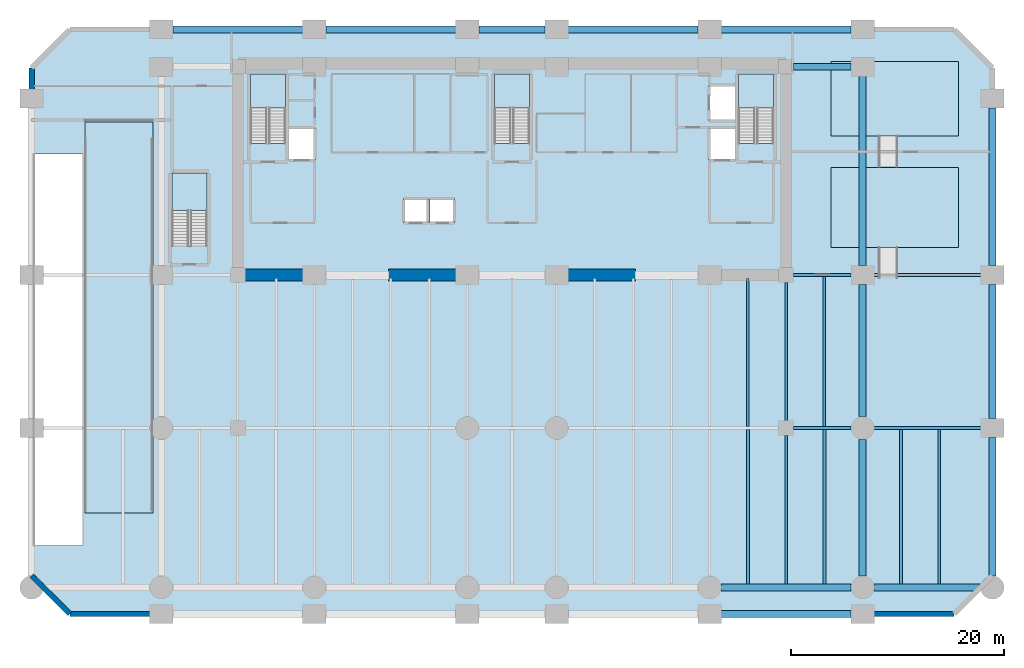
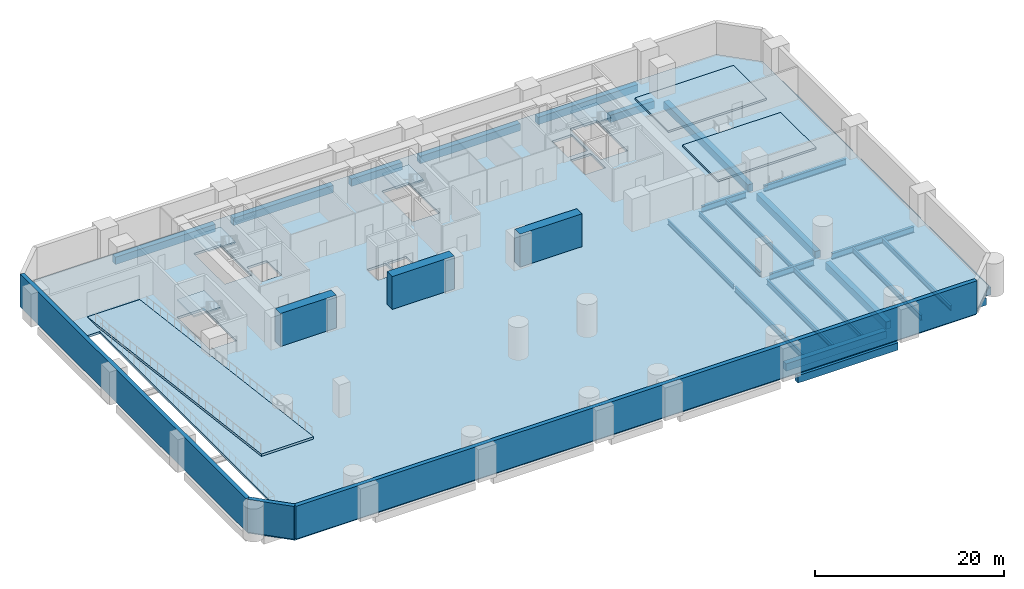
# One storey, part 2 of 9: 27 beams, 8 slabs, 6 walls, 4 elements without a shape of their own.
"""IFC4 building model written with IfcOpenShell, lengths in metres."""

from ifc_helpers import new_model, si_unit, direction, frame, frame_2d, origin, origin_2d, place, context, subcontext, project, spatial, polyline, rectangle, i_section, outline, extrude, material, layer, layer_set, material_profile, profile_set, type_object, element, aggregate, save


model = new_model("IFC4")

# Units and contexts
model_context = context("Model", 3, precision=1e-05, world=origin(), true_north=direction((0.0, 1.0)))
body_context = subcontext(model_context, "Body", "Model", "MODEL_VIEW")
ifc_project = project(units=[si_unit("LENGTHUNIT", "METRE"), si_unit("AREAUNIT", "SQUARE_METRE"), si_unit("VOLUMEUNIT", "CUBIC_METRE"), si_unit("PLANEANGLEUNIT", "RADIAN"), si_unit("MASSUNIT", "GRAM", prefix="KILO")], contexts=[model_context])

# Site, building, storey
site_placement = place(None, origin())
site = spatial("IfcSite", under=ifc_project, at=site_placement, CompositionType="ELEMENT")
building_placement = place(site_placement, origin())
building = spatial("IfcBuilding", under=site, at=building_placement, Name="Kaelvorn Grand Hotel", CompositionType="ELEMENT")
storey_placement = place(building_placement, frame((0.0, 0.0, -4.60009765625)))
storey = spatial("IfcBuildingStorey", under=building, at=storey_placement, Name="B01", CompositionType="ELEMENT", Elevation=-4.60009765625)

# Beams
ifc_material_1 = material(Name="Steel S355", Category="steel")
ifc_material_profile_1 = material_profile(ifc_material_1, i_section(OverallWidth=0.300048828125, OverallDepth=0.800048828125, WebThickness=0.017578125, FlangeThickness=0.032958984375, FilletRadius=0.030029296875, at=origin_2d()), Name="HEB 800")
ifc_profile_set_1 = profile_set([ifc_material_profile_1], Name="Steel S355")
beam_type_1 = type_object("IfcBeamType", Name="BM-G-HEB800-S355", PredefinedType="BEAM", material=ifc_profile_set_1)
beam_1_placement = place(storey_placement, frame((68.485107421875, 15.0, -0.699951171875), z_axis=(1.0, 0.0, 0.0), x_axis=(0.0, 1.0, 0.0)))
element("IfcBeam", 1, at=beam_1_placement, inside=storey, type_object=beam_type_1, Name="B01 Primary Spine Steel Girder G-15 06", PredefinedType="BEAM", context=body_context, shape_type="SweptSolid", body=[
    extrude(i_section(OverallWidth=0.300048828125, OverallDepth=0.800048828125, WebThickness=0.017578125, FlangeThickness=0.032958984375, FilletRadius=0.030029296875, at=origin_2d()), origin(), (0.0, 0.0, 1.0), 5.429931640625),
])
beam_2_placement = place(storey_placement, frame((76.0849609375, 15.0, -0.699951171875), z_axis=(1.0, 0.0, 0.0), x_axis=(0.0, 1.0, 0.0)))
element("IfcBeam", 2, at=beam_2_placement, inside=storey, type_object=beam_type_1, Name="B01 Primary Spine Steel Girder G-15 07", PredefinedType="BEAM", context=body_context, shape_type="SweptSolid", body=[
    extrude(i_section(OverallWidth=0.300048828125, OverallDepth=0.800048828125, WebThickness=0.017578125, FlangeThickness=0.032958984375, FilletRadius=0.030029296875, at=origin_2d()), origin(), (0.0, 0.0, 1.0), 10.030029296875),
])
beam_3_placement = place(storey_placement, frame((68.485107421875, 29.39990234375, -0.699951171875), z_axis=(1.0, 0.0, 0.0), x_axis=(0.0, 1.0, 0.0)))
element("IfcBeam", 3, at=beam_3_placement, inside=storey, type_object=beam_type_1, Name="B01 East Core Wing Steel Girder G-29E 01", PredefinedType="BEAM", context=body_context, shape_type="SweptSolid", body=[
    extrude(i_section(OverallWidth=0.300048828125, OverallDepth=0.800048828125, WebThickness=0.017578125, FlangeThickness=0.032958984375, FilletRadius=0.030029296875, at=origin_2d()), origin(), (0.0, 0.0, 1.0), 5.429931640625),
])
beam_4_placement = place(storey_placement, frame((76.0849609375, 29.39990234375, -0.699951171875), z_axis=(1.0, 0.0, 0.0), x_axis=(0.0, 1.0, 0.0)))
element("IfcBeam", 4, at=beam_4_placement, inside=storey, type_object=beam_type_1, Name="B01 East Core Wing Steel Girder G-29E 02", PredefinedType="BEAM", context=body_context, shape_type="SweptSolid", body=[
    extrude(i_section(OverallWidth=0.300048828125, OverallDepth=0.800048828125, WebThickness=0.017578125, FlangeThickness=0.032958984375, FilletRadius=0.030029296875, at=origin_2d()), origin(), (0.0, 0.0, 1.0), 10.030029296875),
])
ifc_material_profile_2 = material_profile(ifc_material_1, i_section(OverallWidth=0.219970703125, OverallDepth=0.60009765625, WebThickness=0.011962890625, FlangeThickness=0.01904296875, FilletRadius=0.02392578125, at=origin_2d()), Name="IPE 600")
ifc_profile_set_2 = profile_set([ifc_material_profile_2], Name="Steel S355")
beam_type_2 = type_object("IfcBeamType", Name="BM-J-IPE600-S355", PredefinedType="JOIST", material=ifc_profile_set_2)
beam_5_placement = place(storey_placement, frame((64.199951171875, 15.135009765625, -0.599853515625), z_axis=(0.0, 1.0, 0.0), x_axis=(-1.0, 0.0, 0.0)))
element("IfcBeam", 5, at=beam_5_placement, inside=storey, type_object=beam_type_2, Name="B01 Composite Floor Joist JM-18", PredefinedType="JOIST", context=body_context, shape_type="SweptSolid", body=[
    extrude(i_section(OverallWidth=0.219970703125, OverallDepth=0.60009765625, WebThickness=0.011962890625, FlangeThickness=0.01904296875, FilletRadius=0.02392578125, at=origin_2d()), origin(), (0.0, 0.0, 1.0), 13.925048828125),
])
beam_6_placement = place(storey_placement, frame((67.800048828125, 15.68505859375, -0.599853515625), z_axis=(0.0, 1.0, 0.0), x_axis=(-1.0, 0.0, 0.0)))
element("IfcBeam", 6, at=beam_6_placement, inside=storey, type_object=beam_type_2, Name="B01 Composite Floor Joist JM-19", PredefinedType="JOIST", context=body_context, shape_type="SweptSolid", body=[
    extrude(i_section(OverallWidth=0.219970703125, OverallDepth=0.60009765625, WebThickness=0.011962890625, FlangeThickness=0.01904296875, FilletRadius=0.02392578125, at=origin_2d()), origin(), (0.0, 0.0, 1.0), 13.030029296875),
])
beam_7_placement = place(storey_placement, frame((71.39990234375, 15.135009765625, -0.599853515625), z_axis=(0.0, 1.0, 0.0), x_axis=(-1.0, 0.0, 0.0)))
element("IfcBeam", 7, at=beam_7_placement, inside=storey, type_object=beam_type_2, Name="B01 Composite Floor Joist JM-20", PredefinedType="JOIST", context=body_context, shape_type="SweptSolid", body=[
    extrude(i_section(OverallWidth=0.219970703125, OverallDepth=0.60009765625, WebThickness=0.011962890625, FlangeThickness=0.01904296875, FilletRadius=0.02392578125, at=origin_2d()), origin(), (0.0, 0.0, 1.0), 14.1298828125),
])
ifc_material_profile_3 = material_profile(ifc_material_1, i_section(OverallWidth=0.25439453125, OverallDepth=0.6875, WebThickness=0.01318359375, FlangeThickness=0.02099609375, FilletRadius=0.01513671875, at=origin_2d()), Name="UB 686x254x152")
ifc_profile_set_3 = profile_set([ifc_material_profile_3], Name="Steel S355")
beam_type_3 = type_object("IfcBeamType", Name="BM-J-UB686-S355", PredefinedType="JOIST", material=ifc_profile_set_3)
beam_8_placement = place(storey_placement, frame((64.199951171875, 0.31005859375, -0.6435546875), z_axis=(0.0, 1.0, 0.0), x_axis=(-1.0, 0.0, 0.0)))
element("IfcBeam", 8, at=beam_8_placement, inside=storey, type_object=beam_type_3, Name="B01 Composite Floor Joist JS-18", PredefinedType="JOIST", context=body_context, shape_type="SweptSolid", body=[
    extrude(i_section(OverallWidth=0.25439453125, OverallDepth=0.6875, WebThickness=0.01318359375, FlangeThickness=0.02099609375, FilletRadius=0.01513671875, at=origin_2d()), origin(), (0.0, 0.0, 1.0), 14.554931640625),
])
beam_9_placement = place(storey_placement, frame((67.800048828125, 0.31005859375, -0.6435546875), z_axis=(0.0, 1.0, 0.0), x_axis=(-1.0, 0.0, 0.0)))
element("IfcBeam", 9, at=beam_9_placement, inside=storey, type_object=beam_type_3, Name="B01 Composite Floor Joist JS-19", PredefinedType="JOIST", context=body_context, shape_type="SweptSolid", body=[
    extrude(i_section(OverallWidth=0.25439453125, OverallDepth=0.6875, WebThickness=0.01318359375, FlangeThickness=0.02099609375, FilletRadius=0.01513671875, at=origin_2d()), origin(), (0.0, 0.0, 1.0), 14.0048828125),
])
for number, where, z_axis, x_axis, name in (
    (10, (71.39990234375, 0.31005859375, -0.6435546875), (0.0, 1.0, 0.0), (-1.0, 0.0, 0.0), "B01 Composite Floor Joist JS-20"),
    (11, (78.60009765625, 0.31005859375, -0.6435546875), (0.0, 1.0, 0.0), (-1.0, 0.0, 0.0), "B01 Composite Floor Joist JS-22"),
    (12, (82.199951171875, 0.31005859375, -0.6435546875), (0.0, 1.0, 0.0), (-1.0, 0.0, 0.0), "B01 Composite Floor Joist JS-23"),
):
    element("IfcBeam", number, at=place(storey_placement, frame(where, z_axis=z_axis, x_axis=x_axis)), inside=storey, type_object=beam_type_3, Name=name, PredefinedType="JOIST", context=body_context, shape_type="SweptSolid", body=[
        extrude(i_section(OverallWidth=0.25439453125, OverallDepth=0.6875, WebThickness=0.01318359375, FlangeThickness=0.02099609375, FilletRadius=0.01513671875, at=origin_2d()), origin(), (0.0, 0.0, 1.0), 14.554931640625),
    ])
ifc_material_2 = material(Name="Concrete C60/75", Category="concrete")
ifc_material_profile_4 = material_profile(ifc_material_2, rectangle(XDim=0.64990234375, YDim=0.949951171875, at=origin_2d()), Name="RC SPANDREL 650x950")
ifc_profile_set_4 = profile_set([ifc_material_profile_4], Name="Concrete C60/75")
beam_type_4 = type_object("IfcBeamType", Name="BM-SP-650x950-C60", PredefinedType="SPANDREL", material=ifc_profile_set_4)
beam_10_placement = place(storey_placement, frame((61.68505859375, 0.0, -0.77490234375), z_axis=(1.0, 0.0, 0.0), x_axis=(0.0, 1.0, 0.0)))
element("IfcBeam", 13, at=beam_10_placement, inside=storey, type_object=beam_type_4, Name="B01 South Perimeter Spandrel 06", PredefinedType="SPANDREL", context=body_context, shape_type="SweptSolid", body=[
    extrude(rectangle(XDim=0.64990234375, YDim=0.949951171875, at=origin_2d()), origin(), (0.0, 0.0, 1.0), 12.22998046875),
])
beam_11_placement = place(storey_placement, frame((76.0849609375, 0.0, -0.77490234375), z_axis=(1.0, 0.0, 0.0), x_axis=(0.0, 1.0, 0.0)))
element("IfcBeam", 14, at=beam_11_placement, inside=storey, type_object=beam_type_4, Name="B01 South Perimeter Spandrel 07", PredefinedType="SPANDREL", context=body_context, shape_type="SweptSolid", body=[
    extrude(rectangle(XDim=0.64990234375, YDim=0.949951171875, at=origin_2d()), origin(), (0.0, 0.0, 1.0), 10.030029296875),
])
beam_12_placement = place(storey_placement, frame((61.68505859375, -2.5, -0.77490234375), z_axis=(1.0, 0.0, 0.0), x_axis=(0.0, 1.0, 0.0)))
element("IfcBeam", 15, at=beam_12_placement, inside=storey, type_object=beam_type_4, Name="B01 South Plinth Spandrel 05", PredefinedType="SPANDREL", context=body_context, shape_type="SweptSolid", body=[
    extrude(rectangle(XDim=0.64990234375, YDim=0.949951171875, at=origin_2d()), origin(), (0.0, 0.0, 1.0), 12.22998046875),
])
beam_13_placement = place(storey_placement, frame((68.485107421875, 49.0, -0.77490234375), z_axis=(1.0, 0.0, 0.0), x_axis=(0.0, 1.0, 0.0)))
element("IfcBeam", 16, at=beam_13_placement, inside=storey, type_object=beam_type_4, Name="B01 North-East Spandrel 01", PredefinedType="SPANDREL", context=body_context, shape_type="SweptSolid", body=[
    extrude(rectangle(XDim=0.64990234375, YDim=0.949951171875, at=origin_2d()), origin(), (0.0, 0.0, 1.0), 5.429931640625),
])
for number, where, z_axis, x_axis, name in (
    (17, (10.0849609375, 52.5, -0.77490234375), (1.0, 0.0, 0.0), (0.0, 1.0, 0.0), "B01 North Plinth Spandrel 01"),
    (18, (24.485107421875, 52.5, -0.77490234375), (1.0, 0.0, 0.0), (0.0, 1.0, 0.0), "B01 North Plinth Spandrel 02"),
):
    element("IfcBeam", number, at=place(storey_placement, frame(where, z_axis=z_axis, x_axis=x_axis)), inside=storey, type_object=beam_type_4, Name=name, PredefinedType="SPANDREL", context=body_context, shape_type="SweptSolid", body=[
        extrude(rectangle(XDim=0.64990234375, YDim=0.949951171875, at=origin_2d()), origin(), (0.0, 0.0, 1.0), 12.22998046875),
    ])
beam_14_placement = place(storey_placement, frame((38.885009765625, 52.5, -0.77490234375), z_axis=(1.0, 0.0, 0.0), x_axis=(0.0, 1.0, 0.0)))
element("IfcBeam", 19, at=beam_14_placement, inside=storey, type_object=beam_type_4, Name="B01 North Plinth Spandrel 03", PredefinedType="SPANDREL", context=body_context, shape_type="SweptSolid", body=[
    extrude(rectangle(XDim=0.64990234375, YDim=0.949951171875, at=origin_2d()), origin(), (0.0, 0.0, 1.0), 6.22998046875),
])
for number, where, z_axis, x_axis, name in (
    (20, (47.284912109375, 52.5, -0.77490234375), (1.0, 0.0, 0.0), (0.0, 1.0, 0.0), "B01 North Plinth Spandrel 04"),
    (21, (61.68505859375, 52.5, -0.77490234375), (1.0, 0.0, 0.0), (0.0, 1.0, 0.0), "B01 North Plinth Spandrel 05"),
):
    element("IfcBeam", number, at=place(storey_placement, frame(where, z_axis=z_axis, x_axis=x_axis)), inside=storey, type_object=beam_type_4, Name=name, PredefinedType="SPANDREL", context=body_context, shape_type="SweptSolid", body=[
        extrude(rectangle(XDim=0.64990234375, YDim=0.949951171875, at=origin_2d()), origin(), (0.0, 0.0, 1.0), 12.22998046875),
    ])
beam_15_placement = place(storey_placement, frame((87.199951171875, 1.0849609375, -0.77490234375), z_axis=(0.0, 1.0, 0.0), x_axis=(-1.0, 0.0, 0.0)))
element("IfcBeam", 22, at=beam_15_placement, inside=storey, type_object=beam_type_4, Name="B01 E Perimeter Spandrel 01", PredefinedType="SPANDREL", context=body_context, shape_type="SweptSolid", body=[
    extrude(rectangle(XDim=0.64990234375, YDim=0.949951171875, at=origin_2d()), origin(), (0.0, 0.0, 1.0), 13.030029296875),
])
beam_16_placement = place(storey_placement, frame((87.199951171875, 15.885009765625, -0.77490234375), z_axis=(0.0, 1.0, 0.0), x_axis=(-1.0, 0.0, 0.0)))
element("IfcBeam", 23, at=beam_16_placement, inside=storey, type_object=beam_type_4, Name="B01 E Perimeter Spandrel 02", PredefinedType="SPANDREL", context=body_context, shape_type="SweptSolid", body=[
    extrude(rectangle(XDim=0.64990234375, YDim=0.949951171875, at=origin_2d()), origin(), (0.0, 0.0, 1.0), 12.6298828125),
])
beam_17_placement = place(storey_placement, frame((87.199951171875, 30.284912109375, -0.77490234375), z_axis=(0.0, 1.0, 0.0), x_axis=(-1.0, 0.0, 0.0)))
element("IfcBeam", 24, at=beam_17_placement, inside=storey, type_object=beam_type_4, Name="B01 E Perimeter Spandrel 03", PredefinedType="SPANDREL", context=body_context, shape_type="SweptSolid", body=[
    extrude(rectangle(XDim=0.64990234375, YDim=0.949951171875, at=origin_2d()), origin(), (0.0, 0.0, 1.0), 14.830078125),
])
beam_18_placement = place(storey_placement, frame((75.0, 1.0849609375, -0.77490234375), z_axis=(0.0, 1.0, 0.0), x_axis=(-1.0, 0.0, 0.0)))
element("IfcBeam", 25, at=beam_18_placement, inside=storey, type_object=beam_type_4, Name="B01 EI Spine Girder 01", PredefinedType="SPANDREL", context=body_context, shape_type="SweptSolid", body=[
    extrude(rectangle(XDim=0.64990234375, YDim=0.949951171875, at=origin_2d()), origin(), (0.0, 0.0, 1.0), 12.830078125),
])
beam_19_placement = place(storey_placement, frame((75.0, 16.0849609375, -0.77490234375), z_axis=(0.0, 1.0, 0.0), x_axis=(-1.0, 0.0, 0.0)))
element("IfcBeam", 26, at=beam_19_placement, inside=storey, type_object=beam_type_4, Name="B01 EI Spine Girder 02", PredefinedType="SPANDREL", context=body_context, shape_type="SweptSolid", body=[
    extrude(rectangle(XDim=0.64990234375, YDim=0.949951171875, at=origin_2d()), origin(), (0.0, 0.0, 1.0), 12.429931640625),
])
beam_20_placement = place(storey_placement, frame((75.0, 30.284912109375, -0.77490234375), z_axis=(0.0, 1.0, 0.0), x_axis=(-1.0, 0.0, 0.0)))
element("IfcBeam", 27, at=beam_20_placement, inside=storey, type_object=beam_type_4, Name="B01 EI Spine Girder 03", PredefinedType="SPANDREL", context=body_context, shape_type="SweptSolid", body=[
    extrude(rectangle(XDim=0.64990234375, YDim=0.949951171875, at=origin_2d()), origin(), (0.0, 0.0, 1.0), 17.830078125),
])

# Slabs
ifc_material_3 = material(Name="Concrete C40/50", Category="concrete")
ifc_layer_1 = layer(ifc_material_3, 0.25)
ifc_layer_set_1 = layer_set([ifc_layer_1], Name="Concrete C40/50")
slab_type_1 = type_object("IfcSlabType", Name="SLB-APRON-250-C40", PredefinedType="BASESLAB", material=ifc_layer_set_1)
slab_1_placement = place(storey_placement, origin())
element("IfcSlab", 28, at=slab_1_placement, inside=storey, type_object=slab_type_1, Name="B01 Substation Equipment Plinth Slab 3", PredefinedType="BASESLAB", context=body_context, shape_type="SweptSolid", body=[
    extrude(outline(polyline([(72.0, 32.0), (84.0, 32.0), (84.0, 39.5), (72.0, 39.5), (72.0, 32.0)])), origin(), (0.0, 0.0, 1.0), 0.239990234375),
])
slab_2_placement = place(storey_placement, origin())
element("IfcSlab", 29, at=slab_2_placement, inside=storey, type_object=slab_type_1, Name="B01 Substation Equipment Plinth Slab 4", PredefinedType="BASESLAB", context=body_context, shape_type="SweptSolid", body=[
    extrude(outline(polyline([(72.0, 42.5), (84.0, 42.5), (84.0, 49.5), (72.0, 49.5), (72.0, 42.5)])), origin(), (0.0, 0.0, 1.0), 0.239990234375),
])
ifc_layer_2 = layer(ifc_material_3, 0.300048828125)
ifc_layer_set_2 = layer_set([ifc_layer_2], Name="Concrete C40/50")
slab_type_2 = type_object("IfcSlabType", Name="SLB-FLR-300-C40", PredefinedType="FLOOR", material=ifc_layer_set_2)
slab_3_placement = place(storey_placement, frame((0.0, 0.0, -0.2998046875)))
element("IfcSlab", 30, at=slab_3_placement, inside=storey, type_object=slab_type_2, Name="B01 Indoor Suspended Floor Slab", PredefinedType="FLOOR", context=body_context, shape_type="SweptSolid", body=[
    extrude(outline(polyline([(0.39990234375, -2.5), (83.60009765625, -2.5), (87.199951171875, 1.10009765625), (87.199951171875, 48.89990234375), (83.60009765625, 52.5), (0.39990234375, 52.5), (-3.199951171875, 48.89990234375), (-3.199951171875, 1.10009765625), (0.39990234375, -2.5)]), holes=[polyline([(17.39990234375, 41.760009765625), (17.39990234375, 48.300048828125), (20.679931640625, 48.300048828125), (20.679931640625, 41.760009765625), (17.39990234375, 41.760009765625)]), polyline([(40.360107421875, 41.760009765625), (40.360107421875, 48.300048828125), (43.639892578125, 48.300048828125), (43.639892578125, 41.760009765625), (40.360107421875, 41.760009765625)]), polyline([(63.320068359375, 41.760009765625), (63.320068359375, 48.300048828125), (66.60009765625, 48.300048828125), (66.60009765625, 41.760009765625), (63.320068359375, 41.760009765625)]), polyline([(10.0, 32.110107421875), (10.0, 39.0), (13.280029296875, 39.0), (13.280029296875, 32.110107421875), (10.0, 32.110107421875)]), polyline([(31.800048828125, 34.300048828125), (31.800048828125, 36.60009765625), (34.10009765625, 36.60009765625), (34.10009765625, 34.300048828125), (31.800048828125, 34.300048828125)]), polyline([(34.300048828125, 34.300048828125), (34.300048828125, 36.60009765625), (36.60009765625, 36.60009765625), (36.60009765625, 34.300048828125), (34.300048828125, 34.300048828125)]), polyline([(21.0, 40.199951171875), (21.0, 43.300048828125), (23.449951171875, 43.300048828125), (23.449951171875, 40.199951171875), (21.0, 40.199951171875)]), polyline([(60.550048828125, 40.199951171875), (60.550048828125, 43.300048828125), (63.0, 43.300048828125), (63.0, 40.199951171875), (60.550048828125, 40.199951171875)]), polyline([(60.550048828125, 43.89990234375), (60.550048828125, 47.300048828125), (63.0, 47.300048828125), (63.0, 43.89990234375), (60.550048828125, 43.89990234375)]), polyline([(-3.10009765625, 4.0), (-3.10009765625, 40.800048828125), (1.60009765625, 40.800048828125), (1.60009765625, 4.0), (-3.10009765625, 4.0)]), polyline([(1.780029296875, 41.35009765625), (1.780029296875, 43.820068359375), (8.219970703125, 43.820068359375), (8.219970703125, 41.35009765625), (1.780029296875, 41.35009765625)])]), origin(), (0.0, 0.0, 1.0), 0.2998046875),
])

# Stair, slab
stair_type = type_object("IfcStairType", Name="STR-DOG-1560-R01", PredefinedType="HALF_TURN_STAIR", material=ifc_material_3)
stair_1_placement = place(storey_placement, origin())
stair_1 = element("IfcStair", 31, at=stair_1_placement, inside=storey, type_object=stair_type, Name="B01 West Core Exit Stair ST1", PredefinedType="HALF_TURN_STAIR")
ifc_layer_3 = layer(ifc_material_3, 0.199951171875)
ifc_layer_set_3 = layer_set([ifc_layer_3], Name="Concrete C40/50")
slab_type_3 = type_object("IfcSlabType", Name="SLB-LAND-200-C40", PredefinedType="LANDING", material=ifc_layer_set_3)
slab_4_placement = place(storey_placement, frame((0.0, 0.0, 2.10009765625)))
slab_4 = element("IfcSlab", 32, at=slab_4_placement, type_object=slab_type_3, Name="ST1 landing 1", PredefinedType="LANDING", context=body_context, shape_type="SweptSolid", body=[
    extrude(outline(polyline([(20.679931640625, 45.1201171875), (20.679931640625, 48.300048828125), (17.39990234375, 48.300048828125), (17.39990234375, 45.1201171875), (20.679931640625, 45.1201171875)])), origin(), (0.0, 0.0, 1.0), 0.199951171875),
])
aggregate(stair_1, [slab_4])

stair_2_placement = place(storey_placement, origin())
stair_2 = element("IfcStair", 33, at=stair_2_placement, inside=storey, type_object=stair_type, Name="B01 Central Core Exit Stair ST2", PredefinedType="HALF_TURN_STAIR")
slab_5_placement = place(storey_placement, frame((0.0, 0.0, 2.10009765625)))
slab_5 = element("IfcSlab", 34, at=slab_5_placement, type_object=slab_type_3, Name="ST2 landing 1", PredefinedType="LANDING", context=body_context, shape_type="SweptSolid", body=[
    extrude(outline(polyline([(43.639892578125, 45.1201171875), (43.639892578125, 48.300048828125), (40.360107421875, 48.300048828125), (40.360107421875, 45.1201171875), (43.639892578125, 45.1201171875)])), origin(), (0.0, 0.0, 1.0), 0.199951171875),
])
aggregate(stair_2, [slab_5])

stair_3_placement = place(storey_placement, origin())
stair_3 = element("IfcStair", 35, at=stair_3_placement, inside=storey, type_object=stair_type, Name="B01 East Core Exit Stair ST3", PredefinedType="HALF_TURN_STAIR")
slab_6_placement = place(storey_placement, frame((0.0, 0.0, 2.10009765625)))
slab_6 = element("IfcSlab", 36, at=slab_6_placement, type_object=slab_type_3, Name="ST3 landing 1", PredefinedType="LANDING", context=body_context, shape_type="SweptSolid", body=[
    extrude(outline(polyline([(66.60009765625, 45.1201171875), (66.60009765625, 48.300048828125), (63.320068359375, 48.300048828125), (63.320068359375, 45.1201171875), (66.60009765625, 45.1201171875)])), origin(), (0.0, 0.0, 1.0), 0.199951171875),
])
aggregate(stair_3, [slab_6])

stair_4_placement = place(storey_placement, origin())
stair_4 = element("IfcStair", 37, at=stair_4_placement, inside=storey, type_object=stair_type, Name="B01 Podium Grand Stair ST4", PredefinedType="HALF_TURN_STAIR")
slab_7_placement = place(storey_placement, frame((0.0, 0.0, 2.10009765625)))
slab_7 = element("IfcSlab", 38, at=slab_7_placement, type_object=slab_type_3, Name="ST4 landing 1", PredefinedType="LANDING", context=body_context, shape_type="SweptSolid", body=[
    extrude(outline(polyline([(13.280029296875, 35.469970703125), (13.280029296875, 39.0), (10.0, 39.0), (10.0, 35.469970703125), (13.280029296875, 35.469970703125)])), origin(), (0.0, 0.0, 1.0), 0.199951171875),
])
aggregate(stair_4, [slab_7])

# Slab
ifc_layer_4 = layer(ifc_material_3, 0.300048828125)
ifc_layer_set_4 = layer_set([ifc_layer_4], Name="Concrete C40/50")
slab_type_4 = type_object("IfcSlabType", Name="SLB-VRAMP-VR1-300-C40", PredefinedType="FLOOR", material=ifc_layer_set_4)
slab_8_placement = place(storey_placement, frame((5.0, 43.804931640625, 0.0), z_axis=(0.0, 0.0, 1.0), x_axis=(0.0, -1.0, 0.0)))
element("IfcSlab", 39, at=slab_8_placement, inside=storey, type_object=slab_type_4, Name="B01 Vehicle Car Park Structural Ramp Slab VR1 (B01 to L00)", PredefinedType="FLOOR", context=body_context, shape_type="SweptSolid", body=[
    extrude(outline(polyline([(0.0, 0.0), (36.809814453125, 4.60009765625), (36.809814453125, 4.300048828125), (0.0, -0.300048828125), (0.0, 0.0)])), frame((0.0, 3.199951171875, 0.0), z_axis=(0.0, -1.0, 0.0), x_axis=(1.0, 0.0, 0.0)), (0.0, 0.0, 1.0), 6.39990234375),
])

# Walls
ifc_material_4 = material(Name="Concrete C80/95", Category="concrete")
ifc_layer_5 = layer(ifc_material_4, 1.10009765625)
ifc_layer_set_5 = layer_set([ifc_layer_5], Name="Concrete C80/95")
wall_type_1 = type_object("IfcWallType", Name="WL-CORE-1100-C80", PredefinedType="SHEAR", material=ifc_layer_set_5)
wall_1_placement = place(storey_placement, frame((16.7548828125, 29.39990234375, 0.0), z_axis=(0.0, 0.0, 1.0), x_axis=(1.0, 0.0, 0.0)))
element("IfcWall", 40, at=wall_1_placement, inside=storey, type_object=wall_type_1, Name="B01 Rear-Core Coupled Shear Pier S1", PredefinedType="SHEAR", context=body_context, shape_type="SweptSolid", body=[
    extrude(rectangle(XDim=6.84521484375, YDim=1.10009765625, at=frame_2d((3.422607421875, 0.0))), origin(), (0.0, 0.0, 1.0), 4.25),
])
for number, where, z_axis, x_axis, name in (
    (41, (30.39990234375, 29.39990234375, 0.0), (0.0, 0.0, 1.0), (1.0, 0.0, 0.0), "B01 Rear-Core Coupled Shear Pier S2"),
    (42, (46.0, 29.39990234375, 0.0), (0.0, 0.0, 1.0), (1.0, 0.0, 0.0), "B01 Rear-Core Coupled Shear Pier S3"),
):
    element("IfcWall", number, at=place(storey_placement, frame(where, z_axis=z_axis, x_axis=x_axis)), inside=storey, type_object=wall_type_1, Name=name, PredefinedType="SHEAR", context=body_context, shape_type="SweptSolid", body=[
        extrude(rectangle(XDim=7.60009765625, YDim=1.10009765625, at=frame_2d((3.800048828125, 0.0))), origin(), (0.0, 0.0, 1.0), 4.25),
    ])
ifc_material_5 = material(Name="Concrete C50/60", Category="concrete")
ifc_layer_6 = layer(ifc_material_5, 0.5)
ifc_layer_set_6 = layer_set([ifc_layer_6], Name="Concrete C50/60")
wall_type_2 = type_object("IfcWallType", Name="WL-RET-500-C50", PredefinedType="USERDEFINED", material=ifc_layer_set_6)
wall_2_placement = place(storey_placement, frame((0.39990234375, -2.5, 0.0), z_axis=(0.0, 0.0, 1.0), x_axis=(1.0, 0.0, 0.0)))
element("IfcWall", 43, at=wall_2_placement, inside=storey, type_object=wall_type_2, Name="B01 Perimeter Tanked Retaining Wall 01", ObjectType="RETAININGWALL", PredefinedType="USERDEFINED", context=body_context, shape_type="SweptSolid", body=[
    extrude(rectangle(XDim=83.2001953125, YDim=0.5, at=frame_2d((41.60009765625, 0.0))), origin(), (0.0, 0.0, 1.0), 4.25),
])
wall_3_placement = place(storey_placement, frame((-3.199951171875, 48.89990234375, 0.0), z_axis=(0.0, 0.0, 1.0), x_axis=(0.0, -1.0, 0.0)))
element("IfcWall", 44, at=wall_3_placement, inside=storey, type_object=wall_type_2, Name="B01 Perimeter Tanked Retaining Wall 07", ObjectType="RETAININGWALL", PredefinedType="USERDEFINED", context=body_context, shape_type="SweptSolid", body=[
    extrude(rectangle(XDim=47.7998046875, YDim=0.5, at=frame_2d((23.89990234375, 0.0))), origin(), (0.0, 0.0, 1.0), 4.25),
])
wall_4_placement = place(storey_placement, frame((-3.199951171875, 1.10009765625, 0.0), z_axis=(0.0, 0.0, 1.0), x_axis=(0.707082803744, -0.707130757816, 0.0)))
element("IfcWall", 45, at=wall_4_placement, inside=storey, type_object=wall_type_2, Name="B01 Perimeter Tanked Retaining Wall 08", ObjectType="RETAININGWALL", PredefinedType="USERDEFINED", context=body_context, shape_type="SweptSolid", body=[
    extrude(rectangle(XDim=5.091064453125, YDim=0.5, at=frame_2d((2.54541015625, 0.0))), origin(), (0.0, 0.0, 1.0), 4.25),
])

save(model, "model.ifc")
